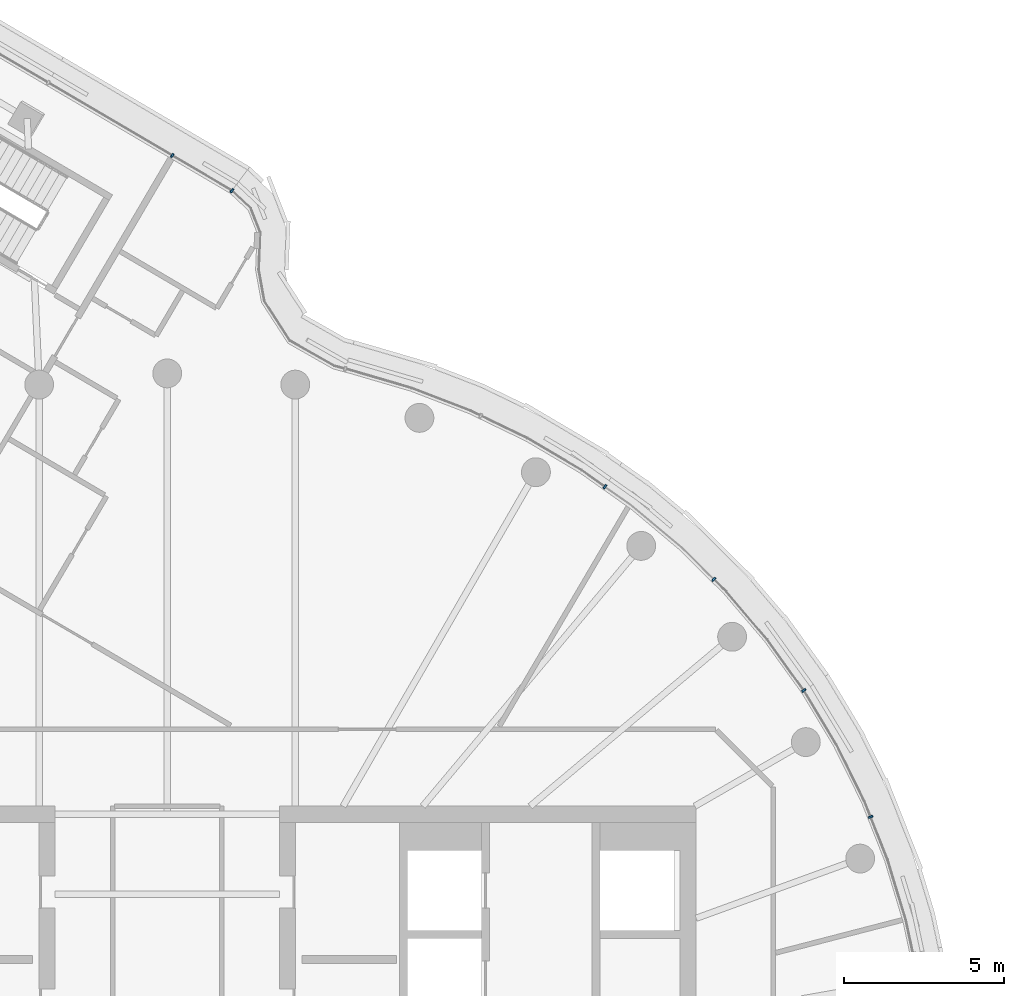
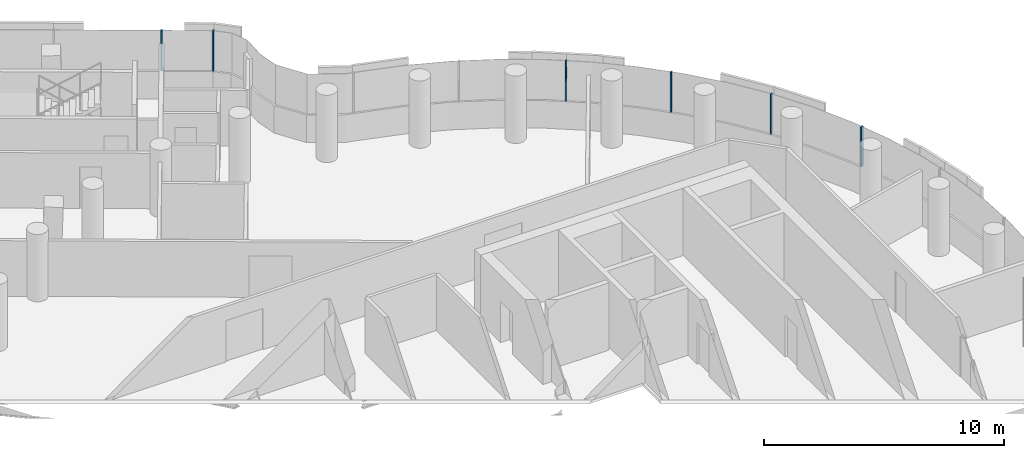
# One storey, part 13 of 26: 6 members, 2 elements without a shape of their own.
"""IFC4 building model written with IfcOpenShell, lengths in metres."""

from ifc_helpers import new_model, si_unit, direction, frame, origin, origin_2d, place, context, subcontext, project, spatial, rectangle, extrude, material, layer, layer_set, material_profile, profile_set, type_object, element, aggregate, save


model = new_model("IFC4")

# Units and contexts
model_context = context("Model", 3, precision=1e-05, world=origin(), true_north=direction((0.0, 1.0)))
body_context = subcontext(model_context, "Body", "Model", "MODEL_VIEW")
ifc_project = project(units=[si_unit("LENGTHUNIT", "METRE"), si_unit("AREAUNIT", "SQUARE_METRE"), si_unit("VOLUMEUNIT", "CUBIC_METRE"), si_unit("PLANEANGLEUNIT", "RADIAN"), si_unit("MASSUNIT", "GRAM", prefix="KILO")], contexts=[model_context])

# Site, building, storey
site_placement = place(None, origin())
site = spatial("IfcSite", under=ifc_project, at=site_placement, CompositionType="ELEMENT")
building_placement = place(site_placement, origin())
building = spatial("IfcBuilding", under=site, at=building_placement, Name="Tamarind Cross Interchange Tower", CompositionType="ELEMENT")
storey_placement = place(building_placement, frame((0.0, 0.0, 248.699951171875)))
storey = spatial("IfcBuildingStorey", under=building, at=storey_placement, Name="L63", CompositionType="ELEMENT", Elevation=248.699951171875)

# Curtain wall, members
ifc_material = material(Name="Aluminium 6063-T6", Category="aluminium")
ifc_layer = layer(ifc_material, 0.139892578125)
ifc_layer_set = layer_set([ifc_layer], Name="Aluminium 6063-T6")
curtain_wall_type = type_object("IfcCurtainWallType", Name="Hotel curtain wall, 4.5 m bays", PredefinedType="NOTDEFINED", material=ifc_layer_set)
curtain_wall_1_placement = place(storey_placement, origin())
curtain_wall_1 = element("IfcCurtainWall", 1, at=curtain_wall_1_placement, inside=storey, type_object=curtain_wall_type, Name="CWS-L63-01", PredefinedType="NOTDEFINED")
ifc_material_profile = material_profile(ifc_material, rectangle(XDim=0.06005859375, YDim=0.139892578125, at=origin_2d()), Name="Mullion CW2")
ifc_profile_set = profile_set([ifc_material_profile], Name="Aluminium 6063-T6")
member_type = type_object("IfcMemberType", Name="Mullion CW2", PredefinedType="MULLION", material=ifc_profile_set)
member_1_placement = place(storey_placement, frame((21.941162109375, 9.169189453125, 1.400146484375), z_axis=(0.0, 0.0, 1.0), x_axis=(-0.367513773146, 0.930018078613, 0.0)))
member_1 = element("IfcMember", 2, at=member_1_placement, type_object=member_type, Name="CWM-L63-01-16", PredefinedType="MULLION", context=body_context, shape_type="SweptSolid", body=[
    extrude(rectangle(XDim=0.06005859375, YDim=0.139892578125, at=origin_2d()), origin(), (0.0, 0.0, 1.0), 2.02001953125),
])
member_2_placement = place(storey_placement, frame((19.85693359375, 13.11181640625, 1.400146484375), z_axis=(0.0, 0.0, 1.0), x_axis=(-0.584573890505, 0.811340475102, 0.0)))
member_2 = element("IfcMember", 3, at=member_2_placement, type_object=member_type, Name="CWM-L63-01-17", PredefinedType="MULLION", context=body_context, shape_type="SweptSolid", body=[
    extrude(rectangle(XDim=0.06005859375, YDim=0.139892578125, at=origin_2d()), origin(), (0.0, 0.0, 1.0), 2.02001953125),
])
member_3_placement = place(storey_placement, frame((17.048828125, 16.576904296875, 1.400146484375), z_axis=(0.0, 0.0, 1.0), x_axis=(-0.710143317658, 0.704057148523, 0.0)))
member_3 = element("IfcMember", 4, at=member_3_placement, type_object=member_type, Name="CWM-L63-01-18", PredefinedType="MULLION", context=body_context, shape_type="SweptSolid", body=[
    extrude(rectangle(XDim=0.06005859375, YDim=0.139892578125, at=origin_2d()), origin(), (0.0, 0.0, 1.0), 2.02001953125),
])
member_4_placement = place(storey_placement, frame((13.652099609375, 19.46533203125, 1.400146484375), z_axis=(0.0, 0.0, 1.0), x_axis=(-0.816341886298, 0.577568978284, 0.0)))
member_4 = element("IfcMember", 5, at=member_4_placement, type_object=member_type, Name="CWM-L63-01-19", PredefinedType="MULLION", context=body_context, shape_type="SweptSolid", body=[
    extrude(rectangle(XDim=0.06005859375, YDim=0.139892578125, at=origin_2d()), origin(), (0.0, 0.0, 1.0), 2.02001953125),
])
aggregate(curtain_wall_1, [member_1, member_2, member_3, member_4])

curtain_wall_2_placement = place(storey_placement, origin())
curtain_wall_2 = element("IfcCurtainWall", 6, at=curtain_wall_2_placement, inside=storey, type_object=curtain_wall_type, Name="CWS-L63-02", PredefinedType="NOTDEFINED")
member_5_placement = place(storey_placement, frame((2.018798828125, 28.701171875, 1.400146484375), z_axis=(0.0, 0.0, 1.0), x_axis=(-0.800573418594, 0.599234679771, 0.0)))
member_5 = element("IfcMember", 7, at=member_5_placement, type_object=member_type, Name="CWM-L63-02-00", PredefinedType="MULLION", context=body_context, shape_type="SweptSolid", body=[
    extrude(rectangle(XDim=0.06005859375, YDim=0.139892578125, at=origin_2d()), origin(), (0.0, 0.0, 1.0), 2.02001953125),
])
member_6_placement = place(storey_placement, frame((0.156494140625, 29.795654296875, 1.400146484375), z_axis=(0.0, 0.0, 1.0), x_axis=(-0.862103583695, 0.506732089945, 0.0)))
member_6 = element("IfcMember", 8, at=member_6_placement, type_object=member_type, Name="CWM-L63-02-01", PredefinedType="MULLION", context=body_context, shape_type="SweptSolid", body=[
    extrude(rectangle(XDim=0.06005859375, YDim=0.139892578125, at=origin_2d()), origin(), (0.0, 0.0, 1.0), 2.02001953125),
])
aggregate(curtain_wall_2, [member_5, member_6])

save(model, "model.ifc")
